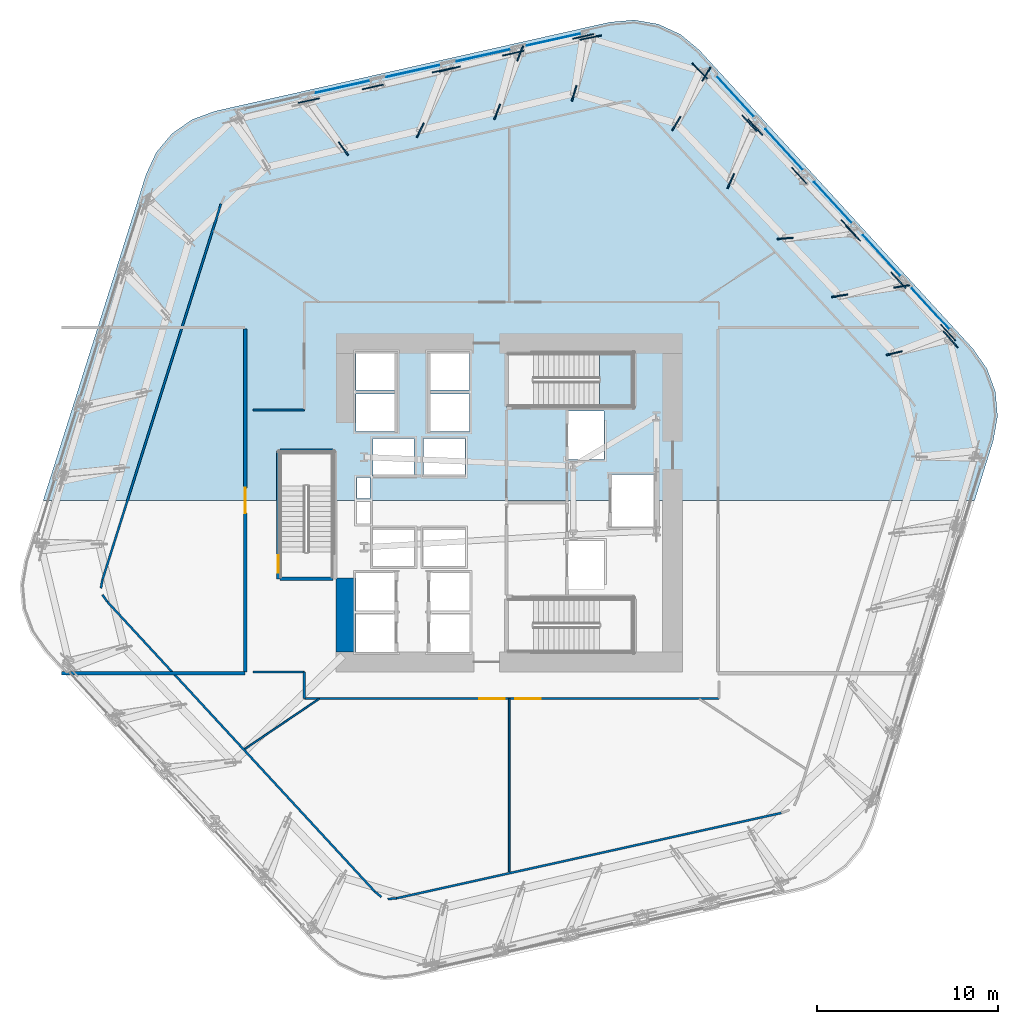
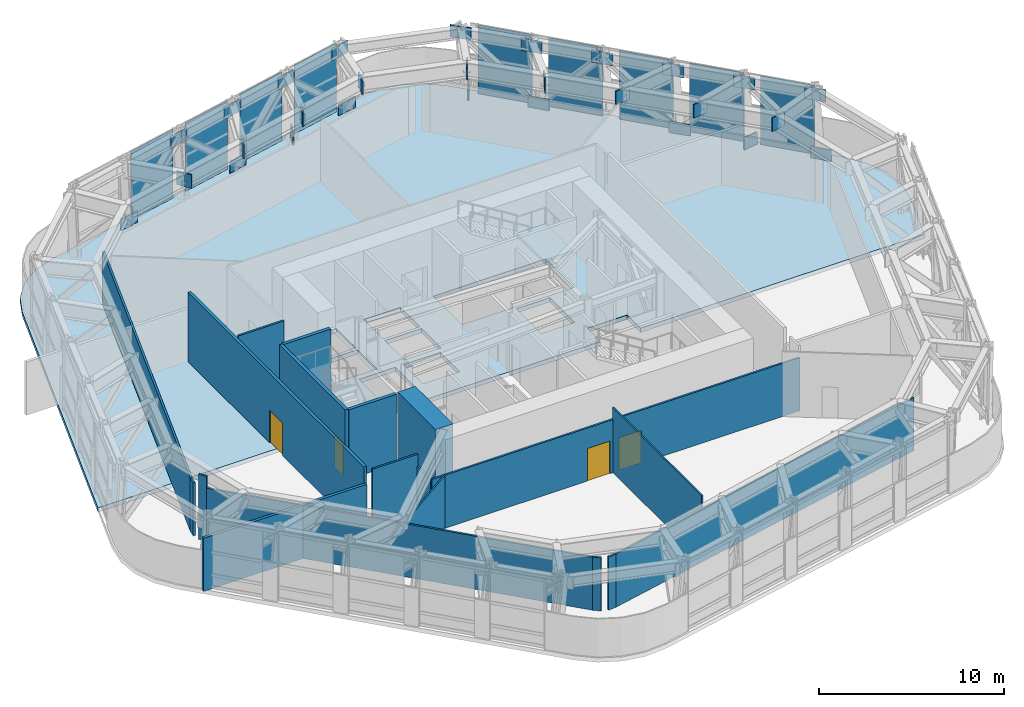
# One storey, part 8 of 16: 37 plates, 19 walls, 4 doors, 2 slabs, 4 openings, 3 elements without a shape of their own.
"""IFC4 building model written with IfcOpenShell, lengths in metres."""

from ifc_helpers import new_model, si_unit, direction, frame, frame_2d, origin, origin_2d, place, context, subcontext, project, spatial, polyline, rectangle, outline, extrude, material, layer, layer_set, type_object, element, fill, aggregate, save


model = new_model("IFC4")

# Units and contexts
model_context = context("Model", 3, precision=1e-05, world=origin(), true_north=direction((0.0, 1.0)))
body_context = subcontext(model_context, "Body", "Model", "MODEL_VIEW")
ifc_project = project(units=[si_unit("LENGTHUNIT", "METRE"), si_unit("AREAUNIT", "SQUARE_METRE"), si_unit("VOLUMEUNIT", "CUBIC_METRE"), si_unit("PLANEANGLEUNIT", "RADIAN"), si_unit("MASSUNIT", "GRAM", prefix="KILO")], contexts=[model_context])

# Site, building, storey
site_placement = place(None, origin())
site = spatial("IfcSite", under=ifc_project, at=site_placement, CompositionType="ELEMENT")
building_placement = place(site_placement, origin())
building = spatial("IfcBuilding", under=site, at=building_placement, Name="Valkerne Bourse Tower", CompositionType="ELEMENT")
storey_placement = place(building_placement, frame((0.0, 0.0, 77.199951171875)))
storey = spatial("IfcBuildingStorey", under=building, at=storey_placement, Name="L19", CompositionType="ELEMENT", Elevation=77.199951171875)

# Curtain wall, plates
ifc_material_1 = material(Name="Aluminium AA 6063-T6", Category="aluminium")
ifc_layer_1 = layer(ifc_material_1, 0.25)
ifc_layer_set_1 = layer_set([ifc_layer_1], Name="Aluminium AA 6063-T6")
curtain_wall_type = type_object("IfcCurtainWallType", Name="CW-06", PredefinedType="NOTDEFINED", material=ifc_layer_set_1)
curtain_wall_1_placement = place(storey_placement, origin())
curtain_wall_1 = element("IfcCurtainWall", 1, at=curtain_wall_1_placement, inside=storey, type_object=curtain_wall_type, Name="L19 Hexagonal Stick Curtain Wall Face 1", PredefinedType="NOTDEFINED")
ifc_material_2 = material(Name="Bronze Anodised Aluminium AA 6063-T6", Category="aluminium")
ifc_layer_2 = layer(ifc_material_2, 0.0400390625)
ifc_layer_set_2 = layer_set([ifc_layer_2], Name="Bronze Anodised Aluminium AA 6063-T6")
plate_type_1 = type_object("IfcPlateType", Name="CW-PNL-LOUVRE-40", PredefinedType="CURTAIN_PANEL", material=ifc_layer_set_2)
plate_1_placement = place(storey_placement, frame((70.14990234375, 37.614013671875, 0.030029296875), z_axis=(0.0, 0.0, 1.0), x_axis=(-0.676869473873, 0.73610306027, 0.0)))
plate_1 = element("IfcPlate", 2, at=plate_1_placement, type_object=plate_type_1, Name="CW-L19-F1 Curtain Panel 00", PredefinedType="CURTAIN_PANEL", context=body_context, shape_type="SweptSolid", body=[
    extrude(rectangle(XDim=3.075927734375, YDim=0.0400390625, at=origin_2d()), origin(), (0.0, 0.0, 1.0), 4.52001953125),
])
plate_2_placement = place(storey_placement, frame((67.445068359375, 40.555419921875, 0.030029296875), z_axis=(0.0, 0.0, 1.0), x_axis=(-0.676881942481, 0.736091594805, 0.0)))
plate_2 = element("IfcPlate", 3, at=plate_2_placement, type_object=plate_type_1, Name="CW-L19-F1 Curtain Panel 01", PredefinedType="CURTAIN_PANEL", context=body_context, shape_type="SweptSolid", body=[
    extrude(rectangle(XDim=3.075927734375, YDim=0.0400390625, at=origin_2d()), origin(), (0.0, 0.0, 1.0), 4.52001953125),
])
plate_3_placement = place(storey_placement, frame((64.740234375, 43.496826171875, 0.030029296875), z_axis=(0.0, 0.0, 1.0), x_axis=(-0.676881942481, 0.736091594805, 0.0)))
plate_3 = element("IfcPlate", 4, at=plate_3_placement, type_object=plate_type_1, Name="CW-L19-F1 Curtain Panel 02", PredefinedType="CURTAIN_PANEL", context=body_context, shape_type="SweptSolid", body=[
    extrude(rectangle(XDim=3.075927734375, YDim=0.0400390625, at=origin_2d()), origin(), (0.0, 0.0, 1.0), 4.52001953125),
])
plate_4_placement = place(storey_placement, frame((62.035400390625, 46.4384765625, 0.030029296875), z_axis=(0.0, 0.0, 1.0), x_axis=(-0.676869473873, 0.73610306027, 0.0)))
plate_4 = element("IfcPlate", 5, at=plate_4_placement, type_object=plate_type_1, Name="CW-L19-F1 Curtain Panel 03", PredefinedType="CURTAIN_PANEL", context=body_context, shape_type="SweptSolid", body=[
    extrude(rectangle(XDim=3.075927734375, YDim=0.0400390625, at=origin_2d()), origin(), (0.0, 0.0, 1.0), 4.52001953125),
])
plate_5_placement = place(storey_placement, frame((59.330810546875, 49.3798828125, 0.030029296875), z_axis=(0.0, 0.0, 1.0), x_axis=(-0.676881942481, 0.736091594805, 0.0)))
plate_5 = element("IfcPlate", 6, at=plate_5_placement, type_object=plate_type_1, Name="CW-L19-F1 Curtain Panel 04", PredefinedType="CURTAIN_PANEL", context=body_context, shape_type="SweptSolid", body=[
    extrude(rectangle(XDim=3.075927734375, YDim=0.0400390625, at=origin_2d()), origin(), (0.0, 0.0, 1.0), 4.52001953125),
])
aggregate(curtain_wall_1, [plate_1, plate_2, plate_3, plate_4, plate_5])

curtain_wall_2_placement = place(storey_placement, origin())
curtain_wall_2 = element("IfcCurtainWall", 7, at=curtain_wall_2_placement, inside=storey, type_object=curtain_wall_type, Name="L19 Hexagonal Stick Curtain Wall Face 2", PredefinedType="NOTDEFINED")
plate_6_placement = place(storey_placement, frame((49.28271484375, 52.528564453125, 0.030029296875), z_axis=(0.0, 0.0, 1.0), x_axis=(-0.975916028069, -0.218146524516, 0.0)))
plate_6 = element("IfcPlate", 8, at=plate_6_placement, type_object=plate_type_1, Name="CW-L19-F2 Curtain Panel 00", PredefinedType="CURTAIN_PANEL", context=body_context, shape_type="SweptSolid", body=[
    extrude(rectangle(XDim=3.075927734375, YDim=0.0400390625, at=origin_2d()), origin(), (0.0, 0.0, 1.0), 4.52001953125),
])
plate_7_placement = place(storey_placement, frame((45.383056640625, 51.656982421875, 0.030029296875), z_axis=(0.0, 0.0, 1.0), x_axis=(-0.975917218933, -0.218141196913, 0.0)))
plate_7 = element("IfcPlate", 9, at=plate_7_placement, type_object=plate_type_1, Name="CW-L19-F2 Curtain Panel 01", PredefinedType="CURTAIN_PANEL", context=body_context, shape_type="SweptSolid", body=[
    extrude(rectangle(XDim=3.075927734375, YDim=0.0400390625, at=origin_2d()), origin(), (0.0, 0.0, 1.0), 4.52001953125),
])
plate_8_placement = place(storey_placement, frame((41.4833984375, 50.785400390625, 0.030029296875), z_axis=(0.0, 0.0, 1.0), x_axis=(-0.975916028069, -0.218146524516, 0.0)))
plate_8 = element("IfcPlate", 10, at=plate_8_placement, type_object=plate_type_1, Name="CW-L19-F2 Curtain Panel 02", PredefinedType="CURTAIN_PANEL", context=body_context, shape_type="SweptSolid", body=[
    extrude(rectangle(XDim=3.075927734375, YDim=0.0400390625, at=origin_2d()), origin(), (0.0, 0.0, 1.0), 4.52001953125),
])
plate_9_placement = place(storey_placement, frame((37.58349609375, 49.91357421875, 0.030029296875), z_axis=(0.0, 0.0, 1.0), x_axis=(-0.975917218933, -0.218141196913, 0.0)))
plate_9 = element("IfcPlate", 11, at=plate_9_placement, type_object=plate_type_1, Name="CW-L19-F2 Curtain Panel 03", PredefinedType="CURTAIN_PANEL", context=body_context, shape_type="SweptSolid", body=[
    extrude(rectangle(XDim=3.075927734375, YDim=0.0400390625, at=origin_2d()), origin(), (0.0, 0.0, 1.0), 4.52001953125),
])
aggregate(curtain_wall_2, [plate_6, plate_7, plate_8, plate_9])

# Plates
ifc_material_3 = material(Name="Steel ASTM A572 Grade 50", Category="steel")
ifc_layer_3 = layer(ifc_material_3, 0.06005859375)
ifc_layer_set_3 = layer_set([ifc_layer_3], Name="Steel ASTM A572 Grade 50")
plate_type_2 = type_object("IfcPlateType", Name="PLT-GUS-60", PredefinedType="SHEET", material=ifc_layer_set_3)
for number, where, z_axis, x_axis, name in (
    (12, (71.10888671875, 36.296142578125, 3.72998046875), (0.0, 0.0, 1.0), (-0.676875969683, 0.73609708712, 0.0), "L19 Belt Truss Gusset Plate GP-011"),
    (13, (68.3583984375, 39.19482421875, 3.72998046875), (0.0, 0.0, 1.0), (-0.676875969683, 0.73609708712, 0.0), "L19 Belt Truss Gusset Plate GP-012"),
    (14, (65.607666015625, 42.093505859375, 3.72998046875), (0.0, 0.0, 1.0), (-0.676875969683, 0.73609708712, 0.0), "L19 Belt Truss Gusset Plate GP-013"),
    (15, (62.85693359375, 44.991943359375, 3.72998046875), (0.0, 0.0, 1.0), (-0.676875969683, 0.73609708712, 0.0), "L19 Belt Truss Gusset Plate GP-014"),
    (16, (60.106201171875, 47.890625, 3.72998046875), (0.0, 0.0, 1.0), (-0.676875969683, 0.73609708712, 0.0), "L19 Belt Truss Gusset Plate GP-015"),
    (17, (50.90380859375, 52.7001953125, 3.72998046875), (0.0, 0.0, 1.0), (-0.975916761939, -0.218143241397, 0.0), "L19 Belt Truss Gusset Plate GP-016"),
    (18, (47.018310546875, 51.767578125, 3.72998046875), (0.0, 0.0, 1.0), (-0.975916761939, -0.218143241397, 0.0), "L19 Belt Truss Gusset Plate GP-017"),
    (19, (43.132568359375, 50.834716796875, 3.72998046875), (0.0, 0.0, 1.0), (-0.975916761939, -0.218143241397, 0.0), "L19 Belt Truss Gusset Plate GP-018"),
    (20, (39.2470703125, 49.90185546875, 3.72998046875), (0.0, 0.0, 1.0), (-0.975916761939, -0.218143241397, 0.0), "L19 Belt Truss Gusset Plate GP-019"),
    (21, (71.251953125, 35.9130859375, -0.0498046875), (0.0, 0.0, 1.0), (-0.66144277433, 0.749995637512, 0.0), "L19 Brace Node Gusset Plate PLT-GUS-END-L19-099"),
    (22, (65.84228515625, 41.796142578125, -0.0498046875), (0.0, 0.0, 1.0), (0.695160395052, -0.71885466205, 0.0), "L19 Brace Node Gusset Plate PLT-GUS-END-L19-100"),
    (23, (60.432861328125, 47.678955078125, -0.0498046875), (0.0, 0.0, 1.0), (0.669908458766, -0.742443706198, 0.0), "L19 Brace Node Gusset Plate PLT-GUS-END-L19-101"),
    (24, (57.355712890625, 50.789306640625, 3.830078125), (0.0, 0.0, 1.0), (-0.703270634186, 0.710922228581, 0.0), "L19 Brace Node Gusset Plate PLT-GUS-END-L19-102"),
    (25, (51.306884765625, 52.6328125, -0.0498046875), (0.0, 0.0, 1.0), (-0.980236661978, -0.197828426963, 0.0), "L19 Brace Node Gusset Plate PLT-GUS-END-L19-103"),
    (26, (43.50732421875, 50.889404296875, -0.0498046875), (0.0, 0.0, 1.0), (0.97012659649, 0.242599230795, 0.0), "L19 Brace Node Gusset Plate PLT-GUS-END-L19-104"),
    (27, (35.7080078125, 49.14599609375, -0.0498046875), (0.0, 0.0, 1.0), (0.977929339831, 0.208935890402, 0.0), "L19 Brace Node Gusset Plate PLT-GUS-END-L19-105"),
):
    element("IfcPlate", number, at=place(storey_placement, frame(where, z_axis=z_axis, x_axis=x_axis)), inside=storey, type_object=plate_type_2, Name=name, PredefinedType="SHEET", context=body_context, shape_type="SweptSolid", body=[
        extrude(rectangle(XDim=1.199951171875, YDim=0.06005859375, at=origin_2d()), origin(), (0.0, 0.0, 1.0), 0.800048828125),
    ])
ifc_layer_4 = layer(ifc_material_3, 0.080078125)
ifc_layer_set_4 = layer_set([ifc_layer_4], Name="Steel ASTM A572 Grade 50")
plate_type_3 = type_object("IfcPlateType", Name="PLT-GUS-80", PredefinedType="SHEET", material=ifc_layer_set_4)
for number, where, z_axis, x_axis, name in (
    (28, (68.130615234375, 35.1572265625, 3.5966796875), (0.0, 0.0, 1.0), (-0.971919945734, -0.235311748717, 0.0), "L19 Brace Node Gusset Plate PLT-GUS-END-L19-123"),
    (29, (68.547119140625, 38.854736328125, -0.099853515625), (0.0, 0.0, 1.0), (-0.988808518489, -0.149190193254, 0.0), "L19 Brace Node Gusset Plate PLT-GUS-END-L19-124"),
    (30, (65.113525390625, 38.33642578125, 3.5966796875), (0.0, 0.0, 1.0), (-0.988808518489, -0.149190193254, 0.0), "L19 Brace Node Gusset Plate PLT-GUS-END-L19-125"),
    (31, (62.096435546875, 41.515869140625, 3.5966796875), (0.0, 0.0, 1.0), (-0.997211245286, -0.074630638989, 0.0), "L19 Brace Node Gusset Plate PLT-GUS-END-L19-126"),
    (32, (59.079345703125, 44.695068359375, 3.5966796875), (0.0, 0.0, 1.0), (-0.413104429825, -0.910683660806, 0.0), "L19 Brace Node Gusset Plate PLT-GUS-END-L19-127"),
    (33, (57.72802734375, 50.620361328125, -0.099853515625), (0.0, 0.0, 1.0), (-0.51862403999, -0.855002400666, 0.0), "L19 Brace Node Gusset Plate PLT-GUS-END-L19-128"),
    (34, (56.0625, 47.87451171875, 3.5966796875), (0.0, 0.0, 1.0), (-0.51862403999, -0.855002400666, 0.0), "L19 Brace Node Gusset Plate PLT-GUS-END-L19-129"),
    (35, (50.40087890625, 49.551513671875, 3.5966796875), (0.0, 0.0, 1.0), (-0.2820065759, -0.959412471854, 0.0), "L19 Brace Node Gusset Plate PLT-GUS-END-L19-130"),
    (36, (47.4072265625, 51.760986328125, -0.099853515625), (0.0, 0.0, 1.0), (-0.365201761892, -0.930928393117, 0.0), "L19 Brace Node Gusset Plate PLT-GUS-END-L19-131"),
    (37, (46.13916015625, 48.5283203125, 3.5966796875), (0.0, 0.0, 1.0), (-0.365201761892, -0.930928393117, 0.0), "L19 Brace Node Gusset Plate PLT-GUS-END-L19-132"),
    (38, (41.877197265625, 47.505126953125, 3.5966796875), (0.0, 0.0, 1.0), (-0.433973593378, -0.900925590851, 0.0), "L19 Brace Node Gusset Plate PLT-GUS-END-L19-133"),
    (39, (37.615234375, 46.48193359375, 3.5966796875), (0.0, 0.0, 1.0), (0.582122970157, -0.813100761047, 0.0), "L19 Brace Node Gusset Plate PLT-GUS-END-L19-134"),
):
    element("IfcPlate", number, at=place(storey_placement, frame(where, z_axis=z_axis, x_axis=x_axis)), inside=storey, type_object=plate_type_3, Name=name, PredefinedType="SHEET", context=body_context, shape_type="SweptSolid", body=[
        extrude(rectangle(XDim=0.89990234375, YDim=0.080078125, at=origin_2d()), origin(), (0.0, 0.0, 1.0), 0.89990234375),
    ])

# Slab
ifc_material_4 = material(Name="Concrete C40/50", Category="concrete")
ifc_layer_5 = layer(ifc_material_4, 0.280029296875)
ifc_layer_set_5 = layer_set([ifc_layer_5], Name="Concrete C40/50")
slab_type_1 = type_object("IfcSlabType", Name="SLB-PLT-280", PredefinedType="FLOOR", material=ifc_layer_set_5)
slab_1_placement = place(storey_placement, frame((0.0, 0.0, -0.280029296875)))
element("IfcSlab", 40, at=slab_1_placement, inside=storey, type_object=slab_type_1, Name="L19 Hexagonal Composite Floor Slab N", PredefinedType="FLOOR", context=body_context, shape_type="SweptSolid", body=[
    extrude(outline(polyline([(26.678955078125, 45.040283203125), (27.25048828125, 46.271484375), (28.12109375, 47.31298828125), (29.231689453125, 48.093505859375), (30.506591796875, 48.56005859375), (52.376708984375, 53.489990234375), (53.72900390625, 53.610595703125), (55.066162109375, 53.37744140625), (56.29736328125, 52.805908203125), (57.3388671875, 51.93505859375), (72.48388671875, 35.4052734375), (73.264404296875, 34.294677734375), (73.73095703125, 33.019775390625), (73.8515625, 31.667724609375), (73.6181640625, 30.330322265625), (72.5810546875, 27.0), (54.840087890625, 27.0), (54.840087890625, 28.43994140625), (52.360107421875, 28.43994140625), (52.360107421875, 27.0), (37.114990234375, 27.0), (37.114990234375, 29.675048828125), (34.034912109375, 29.675048828125), (34.034912109375, 27.0), (20.98974609375, 27.0), (26.678955078125, 45.040283203125)]), holes=[polyline([(39.10009765625, 28.27001953125), (38.3798828125, 28.27001953125), (38.3798828125, 27.10009765625), (39.10009765625, 27.10009765625), (39.10009765625, 28.27001953125)]), polyline([(41.5400390625, 30.43994140625), (39.260009765625, 30.43994140625), (39.260009765625, 28.360107421875), (41.5400390625, 28.360107421875), (41.5400390625, 30.43994140625)]), polyline([(44.340087890625, 30.43994140625), (42.06005859375, 30.43994140625), (42.06005859375, 28.360107421875), (44.340087890625, 28.360107421875), (44.340087890625, 30.43994140625)]), polyline([(40.590087890625, 30.81005859375), (40.590087890625, 32.889892578125), (38.31005859375, 32.889892578125), (38.31005859375, 30.81005859375), (40.590087890625, 30.81005859375)]), polyline([(40.590087890625, 33.110107421875), (40.590087890625, 35.18994140625), (38.31005859375, 35.18994140625), (38.31005859375, 33.110107421875), (40.590087890625, 33.110107421875)]), polyline([(52.0400390625, 31.93994140625), (49.9599609375, 31.93994140625), (49.9599609375, 29.260009765625), (52.0400390625, 29.260009765625), (52.0400390625, 31.93994140625)]), polyline([(44.590087890625, 32.889892578125), (42.31005859375, 32.889892578125), (42.31005859375, 30.81005859375), (44.590087890625, 30.81005859375), (44.590087890625, 32.889892578125)]), polyline([(53.675048828125, 32.135009765625), (53.675048828125, 35.215087890625), (46.6650390625, 35.215087890625), (46.6650390625, 32.135009765625), (53.675048828125, 32.135009765625)]), polyline([(44.590087890625, 33.110107421875), (44.590087890625, 35.18994140625), (42.31005859375, 35.18994140625), (42.31005859375, 33.110107421875), (44.590087890625, 33.110107421875)])]), origin(), (0.0, 0.0, 1.0), 0.280029296875),
])

# Stair, slab
stair_type = type_object("IfcStairType", Name="ST-CORE-1400", PredefinedType="HALF_TURN_STAIR", material=ifc_material_4)
stair_placement = place(storey_placement, origin())
stair = element("IfcStair", 41, at=stair_placement, inside=storey, type_object=stair_type, Name="L19 ST-2", PredefinedType="HALF_TURN_STAIR")
ifc_layer_6 = layer(ifc_material_4, 0.179931640625)
ifc_layer_set_6 = layer_set([ifc_layer_6], Name="Concrete C40/50")
slab_type_2 = type_object("IfcSlabType", Name="SLB-ST-LND-180", PredefinedType="LANDING", material=ifc_layer_set_6)
slab_2_placement = place(storey_placement, frame((0.0, 0.0, 2.199951171875)))
slab_2 = element("IfcSlab", 42, at=slab_2_placement, type_object=slab_type_2, Name="ST-2 landing 1", PredefinedType="LANDING", context=body_context, shape_type="SweptSolid", body=[
    extrude(outline(polyline([(51.7900390625, 32.199951171875), (53.64990234375, 32.199951171875), (53.64990234375, 35.14990234375), (51.7900390625, 35.14990234375), (51.7900390625, 32.199951171875)])), origin(), (0.0, 0.0, 1.0), 0.2001953125),
])
aggregate(stair, [slab_2])

# Walls
ifc_material_5 = material(Name="Concrete C70/85", Category="concrete")
ifc_layer_7 = layer(ifc_material_5, 1.10009765625)
ifc_layer_set_7 = layer_set([ifc_layer_7], Name="Concrete C70/85")
wall_type_1 = type_object("IfcWallType", Name="W-CORE-1100", PredefinedType="SHEAR", material=ifc_layer_set_7)
wall_1_placement = place(storey_placement, frame((37.75, 18.60009765625, 0.0), z_axis=(0.0, 0.0, 1.0), x_axis=(0.0, 1.0, 0.0)))
element("IfcWall", 43, at=wall_1_placement, inside=storey, type_object=wall_type_1, Name="L19 Core Shear Wall WEST-S", PredefinedType="SHEAR", context=body_context, shape_type="SweptSolid", body=[
    extrude(rectangle(XDim=4.099853515625, YDim=1.10009765625, at=frame_2d((2.0498046875, 0.0))), origin(), (0.0, 0.0, 1.0), 4.580078125),
])
ifc_material_6 = material(Name="Gypsum Board Steel-Stud Partition", Category="steel")
ifc_layer_8 = layer(ifc_material_6, 0.117919921875)
ifc_layer_set_8 = layer_set([ifc_layer_8], Name="Gypsum Board Steel-Stud Partition")
wall_type_2 = type_object("IfcWallType", Name="W-CORR-140", PredefinedType="PARTITIONING", material=ifc_layer_set_8)
wall_2_placement = place(storey_placement, frame((61.873291015625, 9.686279296875, 0.0), z_axis=(0.0, 0.0, 1.0), x_axis=(-0.976305825782, -0.216395320059, 0.0)))
element("IfcWall", 44, at=wall_2_placement, inside=storey, type_object=wall_type_2, Name="L19 L19 Outrigger Truss Gallery Ring Wall", PredefinedType="PARTITIONING", context=body_context, shape_type="SweptSolid", body=[
    extrude(rectangle(XDim=21.83544921875, YDim=0.117919921875, at=frame_2d((10.917724609375, 0.0))), origin(), (0.0, 0.0, 1.0), 3.503173828125),
])
wall_3_placement = place(storey_placement, frame((40.55517578125, 4.961181640625, 0.0), z_axis=(0.0, 0.0, 1.0), x_axis=(-0.996052847888, -0.088762177837, 0.0)))
element("IfcWall", 45, at=wall_3_placement, inside=storey, type_object=wall_type_2, Name="L19 L19 Outrigger Truss Gallery Ring Wall", PredefinedType="PARTITIONING", context=body_context, shape_type="SweptSolid", body=[
    extrude(rectangle(XDim=0.484130859375, YDim=0.117919921875, at=frame_2d((0.2421875, 0.0))), origin(), (0.0, 0.0, 1.0), 3.503173828125),
])
wall_4_placement = place(storey_placement, frame((39.721435546875, 5.028564453125, 0.0), z_axis=(0.0, 0.0, 1.0), x_axis=(-0.767352162487, 0.641225903038, 0.0)))
element("IfcWall", 46, at=wall_4_placement, inside=storey, type_object=wall_type_2, Name="L19 L19 Outrigger Truss Gallery Ring Wall", PredefinedType="PARTITIONING", context=body_context, shape_type="SweptSolid", body=[
    extrude(rectangle(XDim=0.48388671875, YDim=0.117919921875, at=frame_2d((0.241943359375, 0.0))), origin(), (0.0, 0.0, 1.0), 3.503173828125),
])
wall_5_placement = place(storey_placement, frame((39.35009765625, 5.3388671875, 0.0), z_axis=(0.0, 0.0, 1.0), x_axis=(-0.678200689279, 0.734876741407, 0.0)))
element("IfcWall", 47, at=wall_5_placement, inside=storey, type_object=wall_type_2, Name="L19 L19 Outrigger Truss Gallery Ring Wall", PredefinedType="PARTITIONING", context=body_context, shape_type="SweptSolid", body=[
    extrude(rectangle(XDim=21.83544921875, YDim=0.117919921875, at=frame_2d((10.917724609375, 0.0))), origin(), (0.0, 0.0, 1.0), 3.503173828125),
])
wall_6_placement = place(storey_placement, frame((24.541259765625, 21.38525390625, 0.0), z_axis=(0.0, 0.0, 1.0), x_axis=(-0.575010479475, 0.818146043499, 0.0)))
element("IfcWall", 48, at=wall_6_placement, inside=storey, type_object=wall_type_2, Name="L19 L19 Outrigger Truss Gallery Ring Wall", PredefinedType="PARTITIONING", context=body_context, shape_type="SweptSolid", body=[
    extrude(rectangle(XDim=0.47607421875, YDim=0.117919921875, at=frame_2d((0.238037109375, 0.0))), origin(), (0.0, 0.0, 1.0), 4.280029296875),
])
wall_7_placement = place(storey_placement, frame((24.187255859375, 22.13427734375, 0.0), z_axis=(0.0, 0.0, 1.0), x_axis=(0.171882473946, 0.985117462616, 0.0)))
element("IfcWall", 49, at=wall_7_placement, inside=storey, type_object=wall_type_2, Name="L19 L19 Outrigger Truss Gallery Ring Wall", PredefinedType="PARTITIONING", context=body_context, shape_type="SweptSolid", body=[
    extrude(rectangle(XDim=0.475830078125, YDim=0.117919921875, at=frame_2d((0.23779296875, 0.0))), origin(), (0.0, 0.0, 1.0), 3.503173828125),
])
wall_8_placement = place(storey_placement, frame((24.26904296875, 22.60302734375, 0.0), z_axis=(0.0, 0.0, 1.0), x_axis=(0.300756233798, 0.95370104741, 0.0)))
element("IfcWall", 50, at=wall_8_placement, inside=storey, type_object=wall_type_2, Name="L19 L19 Outrigger Truss Gallery Ring Wall", PredefinedType="PARTITIONING", context=body_context, shape_type="SweptSolid", body=[
    extrude(rectangle(XDim=21.83544921875, YDim=0.117919921875, at=frame_2d((10.917724609375, 0.0))), origin(), (0.0, 0.0, 1.0), 3.503173828125),
])

# Wall, openings, doors
wall_9_placement = place(storey_placement, frame((58.419921875, 16.02001953125, 0.0), z_axis=(0.0, 0.0, 1.0), x_axis=(-1.0, 0.0, 0.0)))
wall_9 = element("IfcWall", 51, at=wall_9_placement, inside=storey, type_object=wall_type_2, Name="L19 Corridor Enclosure Wall", PredefinedType="PARTITIONING", context=body_context, shape_type="SweptSolid", body=[
    extrude(rectangle(XDim=22.969970703125, YDim=0.117919921875, at=frame_2d((11.48486328125, 0.0))), origin(), (0.0, 0.0, 1.0), 3.503173828125),
])
opening_1_placement = place(wall_9_placement, frame((11.864990234375, 0.0, 0.0)))
opening_1 = element("IfcOpeningElement", 52, at=opening_1_placement, cuts=wall_9, Name="Opening D-PL-1400", PredefinedType="OPENING", context=body_context, shape_type="SweptSolid", body=[
    extrude(rectangle(XDim=1.39990234375, YDim=2.14990234375, at=frame_2d((0.699951171875, 1.074951171875))), frame((0.0, 0.06884765625, 0.0), z_axis=(0.0, -1.0, 0.0), x_axis=(1.0, 0.0, 0.0)), (0.0, 0.0, 1.0), 0.137939453125),
])
opening_2_placement = place(wall_9_placement, frame((9.885009765625, 0.0, 0.0)))
opening_2 = element("IfcOpeningElement", 53, at=opening_2_placement, cuts=wall_9, Name="Opening D-PL-1400", PredefinedType="OPENING", context=body_context, shape_type="SweptSolid", body=[
    extrude(rectangle(XDim=1.39990234375, YDim=2.14990234375, at=frame_2d((0.699951171875, 1.074951171875))), frame((0.0, 0.06884765625, 0.0), z_axis=(0.0, -1.0, 0.0), x_axis=(1.0, 0.0, 0.0)), (0.0, 0.0, 1.0), 0.137939453125),
])
ifc_material_7 = material(Name="Galvanised Painted Steel", Category="steel")
door_type_1 = type_object("IfcDoorType", Name="DR-PLT-1400", OperationType="DOUBLE_DOOR_SINGLE_SWING", PredefinedType="DOOR", material=ifc_material_7)
door_1_placement = place(opening_1_placement, origin())
door_1 = element("IfcDoor", 54, at=door_1_placement, inside=storey, type_object=door_type_1, Name="L19 L19 Supply & Return AHU Mechanical Plant Room 1 Door", OperationType="DOUBLE_DOOR_SINGLE_SWING", OverallHeight=2.14990234375, OverallWidth=1.39990234375, PredefinedType="DOOR", context=body_context, shape_type="SweptSolid", body=[
    extrude(rectangle(XDim=1.39990234375, YDim=2.14990234375, at=frame_2d((0.699951171875, 1.074951171875))), frame((0.0, 0.02490234375, 0.0), z_axis=(0.0, -1.0, 0.0), x_axis=(1.0, 0.0, 0.0)), (0.0, 0.0, 1.0), 0.050048828125),
])
fill(opening_1, door_1)
door_2_placement = place(opening_2_placement, origin())
door_2 = element("IfcDoor", 55, at=door_2_placement, inside=storey, type_object=door_type_1, Name="L19 L19 Chilled Water Pump & Heat-Exchanger Plant Room 2 Door", OperationType="DOUBLE_DOOR_SINGLE_SWING", OverallHeight=2.14990234375, OverallWidth=1.39990234375, PredefinedType="DOOR", context=body_context, shape_type="SweptSolid", body=[
    extrude(rectangle(XDim=1.39990234375, YDim=2.14990234375, at=frame_2d((0.699951171875, 1.074951171875))), frame((0.0, 0.02490234375, 0.0), z_axis=(0.0, -1.0, 0.0), x_axis=(1.0, 0.0, 0.0)), (0.0, 0.0, 1.0), 0.050048828125),
])
fill(opening_2, door_2)

# Walls
wall_10_placement = place(storey_placement, frame((35.449951171875, 16.02001953125, 0.0), z_axis=(0.0, 0.0, 1.0), x_axis=(0.0, 1.0, 0.0)))
element("IfcWall", 56, at=wall_10_placement, inside=storey, type_object=wall_type_2, Name="L19 Corridor Enclosure Wall", PredefinedType="PARTITIONING", context=body_context, shape_type="SweptSolid", body=[
    extrude(rectangle(XDim=1.47998046875, YDim=0.117919921875, at=frame_2d((0.739990234375, 0.0))), origin(), (0.0, 0.0, 1.0), 3.503173828125),
])
for number, where, z_axis, x_axis, name in (
    (57, (35.449951171875, 17.5, 0.0), (0.0, 0.0, 1.0), (-1.0, 0.0, 0.0), "L19 Corridor Enclosure Wall"),
    (58, (32.610107421875, 32.0, 0.0), (0.0, 0.0, 1.0), (1.0, 0.0, 0.0), "L19 Corridor Enclosure Wall"),
):
    element("IfcWall", number, at=place(storey_placement, frame(where, z_axis=z_axis, x_axis=x_axis)), inside=storey, type_object=wall_type_2, Name=name, PredefinedType="PARTITIONING", context=body_context, shape_type="SweptSolid", body=[
        extrude(rectangle(XDim=2.83984375, YDim=0.117919921875, at=frame_2d((1.419921875, 0.0))), origin(), (0.0, 0.0, 1.0), 4.280029296875),
    ])

# Wall, opening, door
ifc_material_8 = material(Name="Gypsum Fire-Rated Shaftwall", Category="gypsum")
ifc_layer_9 = layer(ifc_material_8, 0.179931640625)
ifc_layer_set_9 = layer_set([ifc_layer_9], Name="Gypsum Fire-Rated Shaftwall")
wall_type_3 = type_object("IfcWallType", Name="W-FSAE-180", PredefinedType="PARTITIONING", material=ifc_layer_set_9)
wall_11_placement = place(storey_placement, frame((32.179931640625, 17.5, 0.0), z_axis=(0.0, 0.0, 1.0), x_axis=(0.0, 1.0, 0.0)))
wall_11 = element("IfcWall", 59, at=wall_11_placement, inside=storey, type_object=wall_type_3, Name="L19 L19 West Sky Refuge Fire Wall", PredefinedType="PARTITIONING", context=body_context, shape_type="SweptSolid", body=[
    extrude(rectangle(XDim=19.0, YDim=0.179931640625, at=frame_2d((9.5, 0.0))), origin(), (0.0, 0.0, 1.0), 4.580078125),
])
opening_3_placement = place(wall_11_placement, frame((8.800048828125, 0.0, 0.0)))
opening_3 = element("IfcOpeningElement", 60, at=opening_3_placement, cuts=wall_11, Name="Opening D-PL-1400", PredefinedType="OPENING", context=body_context, shape_type="SweptSolid", body=[
    extrude(rectangle(XDim=1.39990234375, YDim=2.14990234375, at=frame_2d((0.699951171875, 1.074951171875))), frame((0.0, 0.099853515625, 0.0), z_axis=(0.0, -1.0, 0.0), x_axis=(1.0, 0.0, 0.0)), (0.0, 0.0, 1.0), 0.199951171875),
])
door_3_placement = place(opening_3_placement, origin())
door_3 = element("IfcDoor", 61, at=door_3_placement, inside=storey, type_object=door_type_1, Name="L19 L19 West Sky Refuge Door", OperationType="DOUBLE_DOOR_SINGLE_SWING", OverallHeight=2.14990234375, OverallWidth=1.39990234375, PredefinedType="DOOR", context=body_context, shape_type="SweptSolid", body=[
    extrude(rectangle(XDim=1.39990234375, YDim=2.14990234375, at=frame_2d((0.699951171875, 1.074951171875))), frame((0.0, 0.02490234375, 0.0), z_axis=(0.0, -1.0, 0.0), x_axis=(1.0, 0.0, 0.0)), (0.0, 0.0, 1.0), 0.050048828125),
])
fill(opening_3, door_3)

# Walls
wall_12_placement = place(storey_placement, frame((22.0, 17.419921875, 0.0), z_axis=(0.0, 0.0, 1.0), x_axis=(1.0, 0.0, 0.0)))
element("IfcWall", 62, at=wall_12_placement, inside=storey, type_object=wall_type_3, Name="L19 L19 West Sky Refuge South Wall", PredefinedType="PARTITIONING", context=body_context, shape_type="SweptSolid", body=[
    extrude(rectangle(XDim=10.179931640625, YDim=0.179931640625, at=frame_2d((5.08984375, 0.0))), origin(), (0.0, 0.0, 1.0), 3.503173828125),
])
ifc_layer_10 = layer(ifc_material_6, 0.092041015625)
ifc_layer_set_10 = layer_set([ifc_layer_10], Name="Gypsum Board Steel-Stud Partition")
wall_type_4 = type_object("IfcWallType", Name="W-PART-115", PredefinedType="PARTITIONING", material=ifc_layer_set_10)
wall_13_placement = place(storey_placement, frame((46.800048828125, 16.014892578125, 0.0), z_axis=(0.0, 0.0, 1.0), x_axis=(0.0, -1.0, 0.0)))
element("IfcWall", 63, at=wall_13_placement, inside=storey, type_object=wall_type_4, Name="L19 Suite Partition P01", PredefinedType="PARTITIONING", context=body_context, shape_type="SweptSolid", body=[
    extrude(rectangle(XDim=9.597900390625, YDim=0.092041015625, at=frame_2d((4.798828125, 0.0))), origin(), (0.0, 0.0, 1.0), 4.280029296875),
])
wall_14_placement = place(storey_placement, frame((36.282958984375, 16.014892578125, 0.0), z_axis=(0.0, 0.0, 1.0), x_axis=(-0.828300166617, -0.560284600879, 0.0)))
element("IfcWall", 64, at=wall_14_placement, inside=storey, type_object=wall_type_4, Name="L19 Suite Partition P03", PredefinedType="PARTITIONING", context=body_context, shape_type="SweptSolid", body=[
    extrude(rectangle(XDim=4.97265625, YDim=0.092041015625, at=frame_2d((2.486328125, 0.0))), origin(), (0.0, 0.0, 1.0), 3.503173828125),
])

# Wall, opening, door
ifc_layer_11 = layer(ifc_material_4, 0.199951171875)
ifc_layer_set_11 = layer_set([ifc_layer_11], Name="Concrete C40/50")
wall_type_5 = type_object("IfcWallType", Name="W-SHF-200", PredefinedType="SHEAR", material=ifc_layer_set_11)
wall_15_placement = place(storey_placement, frame((34.0, 22.64990234375, 0.0), z_axis=(0.0, 0.0, 1.0), x_axis=(0.0, 1.0, 0.0)))
wall_15 = element("IfcWall", 65, at=wall_15_placement, inside=storey, type_object=wall_type_5, Name="L19 Exit Stair ST-3 Structural Shaft Wall West", PredefinedType="SHEAR", context=body_context, shape_type="SweptSolid", body=[
    extrude(rectangle(XDim=7.10009765625, YDim=0.199951171875, at=frame_2d((3.550048828125, 0.0))), origin(), (0.0, 0.0, 1.0), 4.580078125),
])
opening_4_placement = place(wall_15_placement, frame((0.35009765625, 0.0, 0.0)))
opening_4 = element("IfcOpeningElement", 66, at=opening_4_placement, cuts=wall_15, Name="Opening D-ST-950", PredefinedType="OPENING", context=body_context, shape_type="SweptSolid", body=[
    extrude(rectangle(XDim=0.949951171875, YDim=2.10009765625, at=frame_2d((0.47509765625, 1.050048828125))), frame((0.0, 0.10986328125, 0.0), z_axis=(0.0, -1.0, 0.0), x_axis=(1.0, 0.0, 0.0)), (0.0, 0.0, 1.0), 0.219970703125),
])
door_type_2 = type_object("IfcDoorType", Name="DR-STAIR-950", OperationType="NOTDEFINED", PredefinedType="DOOR", material=ifc_material_7)
door_4_placement = place(opening_4_placement, origin())
door_4 = element("IfcDoor", 67, at=door_4_placement, inside=storey, type_object=door_type_2, Name="L19 Exit Stair ST-3 Door", OperationType="SINGLE_SWING_RIGHT", OverallHeight=2.10009765625, OverallWidth=0.949951171875, PredefinedType="DOOR", context=body_context, shape_type="SweptSolid", body=[
    extrude(rectangle(XDim=0.949951171875, YDim=2.10009765625, at=frame_2d((0.47509765625, 1.050048828125))), frame((0.0, 0.02490234375, 0.0), z_axis=(0.0, -1.0, 0.0), x_axis=(1.0, 0.0, 0.0)), (0.0, 0.0, 1.0), 0.050048828125),
])
fill(opening_4, door_4)

# Walls
for number, where, z_axis, x_axis, name in (
    (68, (34.10009765625, 22.64990234375, 0.0), (0.0, 0.0, 1.0), (1.0, 0.0, 0.0), "L19 Exit Stair ST-3 Structural Shaft Wall South"),
    (69, (34.10009765625, 29.75, 0.0), (0.0, 0.0, 1.0), (1.0, 0.0, 0.0), "L19 Exit Stair ST-3 Structural Shaft Wall North"),
):
    element("IfcWall", number, at=place(storey_placement, frame(where, z_axis=z_axis, x_axis=x_axis)), inside=storey, type_object=wall_type_5, Name=name, PredefinedType="SHEAR", context=body_context, shape_type="SweptSolid", body=[
        extrude(rectangle(XDim=2.949951171875, YDim=0.199951171875, at=frame_2d((1.47509765625, 0.0))), origin(), (0.0, 0.0, 1.0), 4.580078125),
    ])

save(model, "model.ifc")
